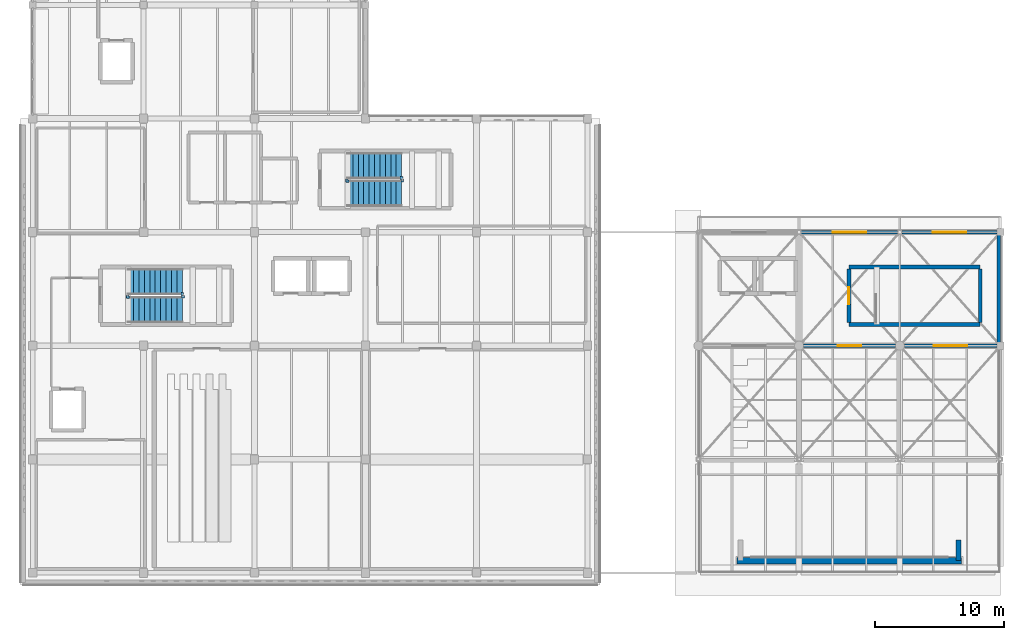
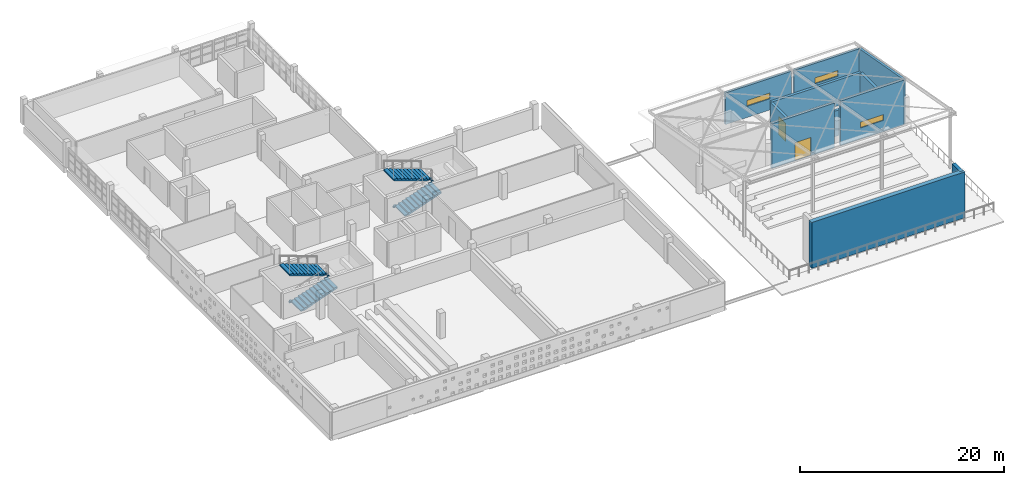
# One storey, part 29 of 34: 11 walls, 8 discrete accessories, 4 stair flights, 3 windows, 2 doors, 5 openings, 2 elements without a shape of their own.
"""IFC4 building model written with IfcOpenShell, lengths in metres."""

from ifc_helpers import new_model, si_unit, direction, frame, frame_2d, origin, origin_2d, place, context, subcontext, project, spatial, polyline, rectangle, outline, extrude, material, layer, layer_set, type_object, element, fill, aggregate, save


model = new_model("IFC4")

# Units and contexts
model_context = context("Model", 3, precision=1e-05, world=origin(), true_north=direction((0.0, 1.0)))
body_context = subcontext(model_context, "Body", "Model", "MODEL_VIEW")
ifc_project = project(units=[si_unit("LENGTHUNIT", "METRE"), si_unit("AREAUNIT", "SQUARE_METRE"), si_unit("VOLUMEUNIT", "CUBIC_METRE"), si_unit("PLANEANGLEUNIT", "RADIAN"), si_unit("MASSUNIT", "GRAM", prefix="KILO")], contexts=[model_context])

# Site, building, storey
site_placement = place(None, origin())
site = spatial("IfcSite", under=ifc_project, at=site_placement, CompositionType="ELEMENT")
building_placement = place(site_placement, origin())
building = spatial("IfcBuilding", under=site, at=building_placement, Name="Varnakota Cinema and Media Centre", CompositionType="ELEMENT")
storey_placement = place(building_placement, frame((0.0, 0.0, 19.050048828125)))
storey = spatial("IfcBuildingStorey", under=building, at=storey_placement, Name="L05", CompositionType="ELEMENT", Elevation=19.050048828125)

# Walls
ifc_material_1 = material(Name="Deccan grey granite ashlar", Category="masonry")
ifc_layer_1 = layer(ifc_material_1, 0.5)
ifc_layer_set_1 = layer_set([ifc_layer_1], Name="Deccan grey granite ashlar")
wall_type_1 = type_object("IfcWallType", Name="W-BUTTRESS-500", PredefinedType="SOLIDWALL", material=ifc_layer_set_1)
wall_1_placement = place(storey_placement, frame((72.0, 0.949951171875, 0.0), z_axis=(0.0, 0.0, 1.0), x_axis=(-1.0, 0.0, 0.0)))
element("IfcWall", 1, at=wall_1_placement, inside=storey, type_object=wall_type_1, Name="L05 rooftop repertory cinema acoustic screen monolith", PredefinedType="SOLIDWALL", context=body_context, shape_type="SweptSolid", body=[
    extrude(rectangle(XDim=17.39990234375, YDim=0.5, at=frame_2d((8.699951171875, 0.0))), origin(), (0.0, 0.0, 1.0), 5.5),
])
ifc_material_2 = material(Name="Concrete M40", Category="concrete")
ifc_layer_2 = layer(ifc_material_2, 0.300048828125)
ifc_layer_set_2 = layer_set([ifc_layer_2], Name="Concrete M40")
wall_type_2 = type_object("IfcWallType", Name="W-CORE-300", PredefinedType="SHEAR", material=ifc_layer_set_2)
wall_2_placement = place(storey_placement, frame((73.429931640625, 19.25, 0.0), z_axis=(0.0, 0.0, 1.0), x_axis=(-1.0, 0.0, 0.0)))
element("IfcWall", 2, at=wall_2_placement, inside=storey, type_object=wall_type_2, Name="L05 CWALL-ST-04-L05 S wall", PredefinedType="SHEAR", context=body_context, shape_type="SweptSolid", body=[
    extrude(rectangle(XDim=10.179931640625, YDim=0.300048828125, at=frame_2d((5.08984375, 0.0))), origin(), (0.0, 0.0, 1.0), 3.06005859375),
])

# Wall, opening, door
wall_3_placement = place(storey_placement, frame((63.25, 19.39990234375, 0.0), z_axis=(0.0, 0.0, 1.0), x_axis=(0.0, 1.0, 0.0)))
wall_3 = element("IfcWall", 3, at=wall_3_placement, inside=storey, type_object=wall_type_2, Name="L05 CWALL-ST-04-L05 W wall", PredefinedType="SHEAR", context=body_context, shape_type="SweptSolid", body=[
    extrude(rectangle(XDim=4.150146484375, YDim=0.300048828125, at=frame_2d((2.0751953125, 0.0))), origin(), (0.0, 0.0, 1.0), 3.06005859375),
])
opening_1_placement = place(wall_3_placement, frame((1.39990234375, 0.0, 0.0)))
opening_1 = element("IfcOpeningElement", 4, at=opening_1_placement, cuts=wall_3, Name="Opening SD-04", PredefinedType="OPENING", context=body_context, shape_type="SweptSolid", body=[
    extrude(rectangle(XDim=1.35009765625, YDim=2.199951171875, at=frame_2d((0.675048828125, 1.10009765625))), frame((0.0, 0.14990234375, 0.0), z_axis=(0.0, -1.0, 0.0), x_axis=(1.0, 0.0, 0.0)), (0.0, 0.0, 1.0), 0.300048828125),
])
ifc_material_3 = material(Name="Thermally broken anodised aluminium AW-6063", Category="aluminium")
door_type_1 = type_object("IfcDoorType", Name="DR-STAIR-1350x2200", OperationType="NOTDEFINED", PredefinedType="DOOR", material=ifc_material_3)
door_1_placement = place(opening_1_placement, origin())
door_1 = element("IfcDoor", 5, at=door_1_placement, inside=storey, type_object=door_type_1, Name="L05 door SD-04", OperationType="SINGLE_SWING_RIGHT", OverallHeight=2.199951171875, OverallWidth=1.35009765625, PredefinedType="DOOR", context=body_context, shape_type="SweptSolid", body=[
    extrude(rectangle(XDim=1.35009765625, YDim=2.199951171875, at=frame_2d((0.675048828125, 1.10009765625))), frame((0.0, 0.02490234375, 0.0), z_axis=(0.0, -1.0, 0.0), x_axis=(1.0, 0.0, 0.0)), (0.0, 0.0, 1.0), 0.050048828125),
])
fill(opening_1, door_1)

# Walls
wall_4_placement = place(storey_placement, frame((63.25, 23.699951171875, 0.0), z_axis=(0.0, 0.0, 1.0), x_axis=(1.0, 0.0, 0.0)))
element("IfcWall", 6, at=wall_4_placement, inside=storey, type_object=wall_type_2, Name="L05 CWALL-ST-04-L05 N wall", PredefinedType="SHEAR", context=body_context, shape_type="SweptSolid", body=[
    extrude(rectangle(XDim=10.179931640625, YDim=0.300048828125, at=frame_2d((5.08984375, 0.0))), origin(), (0.0, 0.0, 1.0), 3.06005859375),
])
wall_5_placement = place(storey_placement, frame((73.429931640625, 23.550048828125, 0.0), z_axis=(0.0, 0.0, 1.0), x_axis=(0.0, -1.0, 0.0)))
element("IfcWall", 7, at=wall_5_placement, inside=storey, type_object=wall_type_2, Name="L05 CWALL-ST-04-L05 E wall", PredefinedType="SHEAR", context=body_context, shape_type="SweptSolid", body=[
    extrude(rectangle(XDim=4.150146484375, YDim=0.300048828125, at=frame_2d((2.0751953125, 0.0))), origin(), (0.0, 0.0, 1.0), 3.06005859375),
])
ifc_material_4 = material(Name="Deccan grey granite ashlar", Category="masonry")
ifc_layer_3 = layer(ifc_material_4, 0.3798828125)
ifc_layer_set_3 = layer_set([ifc_layer_3], Name="Deccan grey granite ashlar")
wall_type_3 = type_object("IfcWallType", Name="W-EXT-GRAN-380", PredefinedType="SOLIDWALL", material=ifc_layer_set_3)
wall_6_placement = place(storey_placement, frame((71.75, 0.949951171875, 0.0), z_axis=(0.0, 0.0, 1.0), x_axis=(0.0, 1.0, 0.0)))
element("IfcWall", 8, at=wall_6_placement, inside=storey, type_object=wall_type_3, Name="L05 rooftop cinema screen acoustic wing pier E", PredefinedType="SOLIDWALL", context=body_context, shape_type="SweptSolid", body=[
    extrude(rectangle(XDim=1.60009765625, YDim=0.3798828125, at=frame_2d((0.800048828125, 0.0))), origin(), (0.0, 0.0, 1.0), 5.5),
])

# Wall, opening, window
ifc_material_5 = material(Name="Pale Tandur limestone cladding", Category="masonry")
ifc_layer_4 = layer(ifc_material_5, 0.27001953125)
ifc_layer_set_4 = layer_set([ifc_layer_4], Name="Pale Tandur limestone cladding")
wall_type_4 = type_object("IfcWallType", Name="W-EXT-PAV-270", PredefinedType="SOLIDWALL", material=ifc_layer_set_4)
wall_7_placement = place(storey_placement, frame((74.72509765625, 17.60009765625, 0.0), z_axis=(0.0, 0.0, 1.0), x_axis=(-1.0, 0.0, 0.0)))
wall_7 = element("IfcWall", 9, at=wall_7_placement, inside=storey, type_object=wall_type_4, Name="L05 exterior wall V3-S-1", PredefinedType="SOLIDWALL", context=body_context, shape_type="SweptSolid", body=[
    extrude(rectangle(XDim=7.175048828125, YDim=0.27001953125, at=frame_2d((3.58740234375, 0.0))), origin(), (0.0, 0.0, 1.0), 5.369873046875),
])
opening_2_placement = place(wall_7_placement, frame((2.28759765625, 0.0, 1.35009765625)))
opening_2 = element("IfcOpeningElement", 10, at=opening_2_placement, cuts=wall_7, Name="Opening WR02", PredefinedType="OPENING", context=body_context, shape_type="SweptSolid", body=[
    extrude(rectangle(XDim=2.60009765625, YDim=0.699951171875, at=frame_2d((1.300048828125, 0.35009765625))), frame((0.0, 0.135009765625, 0.0), z_axis=(0.0, -1.0, 0.0), x_axis=(1.0, 0.0, 0.0)), (0.0, 0.0, 1.0), 0.27001953125),
])
ifc_material_6 = material(Name="Laminated solar-control double glazing", Category="glass")
window_type = type_object("IfcWindowType", Name="WIN-SLOT-260x070", PartitioningType="SINGLE_PANEL", PredefinedType="WINDOW", material=ifc_material_6)
window_1_placement = place(opening_2_placement, origin())
window_1 = element("IfcWindow", 11, at=window_1_placement, inside=storey, type_object=window_type, Name="L05 window WR02", OverallHeight=0.699951171875, OverallWidth=2.60009765625, PartitioningType="SINGLE_PANEL", PredefinedType="WINDOW", context=body_context, shape_type="SweptSolid", body=[
    extrude(rectangle(XDim=2.60009765625, YDim=0.699951171875, at=frame_2d((1.300048828125, 0.35009765625))), frame((0.0, 0.030029296875, 0.0), z_axis=(0.0, -1.0, 0.0), x_axis=(1.0, 0.0, 0.0)), (0.0, 0.0, 1.0), 0.06005859375),
])
fill(opening_2, window_1)

# Wall, opening, door
wall_8_placement = place(storey_placement, frame((66.85009765625, 17.60009765625, 0.0), z_axis=(0.0, 0.0, 1.0), x_axis=(-1.0, 0.0, 0.0)))
wall_8 = element("IfcWall", 12, at=wall_8_placement, inside=storey, type_object=wall_type_4, Name="L05 exterior wall V3-S-2", PredefinedType="SOLIDWALL", context=body_context, shape_type="SweptSolid", body=[
    extrude(rectangle(XDim=7.10009765625, YDim=0.27001953125, at=frame_2d((3.550048828125, 0.0))), origin(), (0.0, 0.0, 1.0), 5.369873046875),
])
opening_3_placement = place(wall_8_placement, frame((2.64990234375, 0.0, 0.0)))
opening_3 = element("IfcOpeningElement", 13, at=opening_3_placement, cuts=wall_8, Name="Opening TD-04", PredefinedType="OPENING", context=body_context, shape_type="SweptSolid", body=[
    extrude(rectangle(XDim=1.800048828125, YDim=2.199951171875, at=frame_2d((0.89990234375, 1.10009765625))), frame((0.0, 0.135009765625, 0.0), z_axis=(0.0, -1.0, 0.0), x_axis=(1.0, 0.0, 0.0)), (0.0, 0.0, 1.0), 0.27001953125),
])
ifc_material_7 = material(Name="Anodised golden-bronze aluminium AW-6063", Category="aluminium")
door_type_2 = type_object("IfcDoorType", Name="DR-TERR-1800x2200", OperationType="DOUBLE_DOOR_SINGLE_SWING", PredefinedType="DOOR", material=ifc_material_7)
door_2_placement = place(opening_3_placement, origin())
door_2 = element("IfcDoor", 14, at=door_2_placement, inside=storey, type_object=door_type_2, Name="L05 door TD-04", OperationType="DOUBLE_DOOR_SINGLE_SWING", OverallHeight=2.199951171875, OverallWidth=1.800048828125, PredefinedType="DOOR", context=body_context, shape_type="SweptSolid", body=[
    extrude(rectangle(XDim=1.800048828125, YDim=2.199951171875, at=frame_2d((0.89990234375, 1.10009765625))), frame((0.0, 0.02490234375, 0.0), z_axis=(0.0, -1.0, 0.0), x_axis=(1.0, 0.0, 0.0)), (0.0, 0.0, 1.0), 0.050048828125),
])
fill(opening_3, door_2)

# Wall
wall_9_placement = place(storey_placement, frame((74.85009765625, 17.60009765625, 0.0), z_axis=(0.0, 0.0, 1.0), x_axis=(0.0, 1.0, 0.0)))
element("IfcWall", 15, at=wall_9_placement, inside=storey, type_object=wall_type_4, Name="L05 V3 rooftop pavilion sloped side wall V3-E", PredefinedType="SOLIDWALL", context=body_context, shape_type="SweptSolid", body=[
    extrude(outline(polyline([(0.0, 0.0), (8.7998046875, 0.0), (8.800048828125, 3.81591796875), (0.0, 5.39990234375), (0.0, 0.0)])), frame((0.0, 0.135009765625, 0.0), z_axis=(0.0, -1.0, 0.0), x_axis=(1.0, 0.0, 0.0)), (0.0, 0.0, 1.0), 0.27001953125),
])

# Wall, opening, window
wall_10_placement = place(storey_placement, frame((59.56201171875, 26.39990234375, 0.0), z_axis=(0.0, 0.0, 1.0), x_axis=(1.0, 0.0, 0.0)))
wall_10 = element("IfcWall", 16, at=wall_10_placement, inside=storey, type_object=wall_type_4, Name="L05 exterior wall V3-N-2", PredefinedType="SOLIDWALL", context=body_context, shape_type="SweptSolid", body=[
    extrude(rectangle(XDim=7.47607421875, YDim=0.27001953125, at=frame_2d((3.738037109375, 0.0))), origin(), (0.0, 0.0, 1.0), 3.7900390625),
])
opening_4_placement = place(wall_10_placement, frame((2.43798828125, 0.0, 1.35009765625)))
opening_4 = element("IfcOpeningElement", 17, at=opening_4_placement, cuts=wall_10, Name="Opening WR02", PredefinedType="OPENING", context=body_context, shape_type="SweptSolid", body=[
    extrude(rectangle(XDim=2.60009765625, YDim=0.699951171875, at=frame_2d((1.300048828125, 0.35009765625))), frame((0.0, 0.135009765625, 0.0), z_axis=(0.0, -1.0, 0.0), x_axis=(1.0, 0.0, 0.0)), (0.0, 0.0, 1.0), 0.27001953125),
])
window_2_placement = place(opening_4_placement, origin())
window_2 = element("IfcWindow", 18, at=window_2_placement, inside=storey, type_object=window_type, Name="L05 window WR02", OverallHeight=0.699951171875, OverallWidth=2.60009765625, PartitioningType="SINGLE_PANEL", PredefinedType="WINDOW", context=body_context, shape_type="SweptSolid", body=[
    extrude(rectangle(XDim=2.60009765625, YDim=0.699951171875, at=frame_2d((1.300048828125, 0.35009765625))), frame((0.0, 0.030029296875, 0.0), z_axis=(0.0, -1.0, 0.0), x_axis=(1.0, 0.0, 0.0)), (0.0, 0.0, 1.0), 0.06005859375),
])
fill(opening_4, window_2)

wall_11_placement = place(storey_placement, frame((67.362060546875, 26.39990234375, 0.0), z_axis=(0.0, 0.0, 1.0), x_axis=(1.0, 0.0, 0.0)))
wall_11 = element("IfcWall", 19, at=wall_11_placement, inside=storey, type_object=wall_type_4, Name="L05 exterior wall V3-N-3", PredefinedType="SOLIDWALL", context=body_context, shape_type="SweptSolid", body=[
    extrude(rectangle(XDim=7.363037109375, YDim=0.27001953125, at=frame_2d((3.681640625, 0.0))), origin(), (0.0, 0.0, 1.0), 3.7900390625),
])
opening_5_placement = place(wall_11_placement, frame((2.381591796875, 0.0, 1.35009765625)))
opening_5 = element("IfcOpeningElement", 20, at=opening_5_placement, cuts=wall_11, Name="Opening WR02", PredefinedType="OPENING", context=body_context, shape_type="SweptSolid", body=[
    extrude(rectangle(XDim=2.60009765625, YDim=0.699951171875, at=frame_2d((1.300048828125, 0.35009765625))), frame((0.0, 0.135009765625, 0.0), z_axis=(0.0, -1.0, 0.0), x_axis=(1.0, 0.0, 0.0)), (0.0, 0.0, 1.0), 0.27001953125),
])
window_3_placement = place(opening_5_placement, origin())
window_3 = element("IfcWindow", 21, at=window_3_placement, inside=storey, type_object=window_type, Name="L05 window WR02", OverallHeight=0.699951171875, OverallWidth=2.60009765625, PartitioningType="SINGLE_PANEL", PredefinedType="WINDOW", context=body_context, shape_type="SweptSolid", body=[
    extrude(rectangle(XDim=2.60009765625, YDim=0.699951171875, at=frame_2d((1.300048828125, 0.35009765625))), frame((0.0, 0.030029296875, 0.0), z_axis=(0.0, -1.0, 0.0), x_axis=(1.0, 0.0, 0.0)), (0.0, 0.0, 1.0), 0.06005859375),
])
fill(opening_5, window_3)

# Stair, stair flights
ifc_material_8 = material(Name="Concrete M35", Category="concrete")
stair_type_1 = type_object("IfcStairType", Name="STR-CORE-ST-01-2000", PredefinedType="HALF_TURN_STAIR", material=ifc_material_8)
stair_1_placement = place(storey_placement, origin())
stair_1 = element("IfcStair", 22, at=stair_1_placement, inside=storey, type_object=stair_type_1, Name="L05 West Firefighting Stair 1", PredefinedType="HALF_TURN_STAIR")
ifc_material_9 = material(Name="Concrete M35", Category="concrete")
stair_flight_type_1 = type_object("IfcStairFlightType", Name="STF-CORE-ST-01-2000", PredefinedType="STRAIGHT", material=ifc_material_9)
stair_flight_1_placement = place(storey_placement, frame((7.39990234375, 20.39990234375, 0.0), z_axis=(0.0, 0.0, 1.0), x_axis=(1.0, 0.0, 0.0)))
stair_flight_1 = element("IfcStairFlight", 23, at=stair_flight_1_placement, type_object=stair_flight_type_1, Name="ST-01 flight 1", NumberOfRisers=11, NumberOfTreads=10, PredefinedType="STRAIGHT", RiserHeight=0.15, TreadLength=0.42, context=body_context, shape_type="SweptSolid", body=[
    extrude(outline(polyline([(0.0, 0.0), (0.0, 0.14990234375), (0.419921875, 0.14990234375), (0.419921875, 0.300048828125), (0.840087890625, 0.300048828125), (0.840087890625, 0.449951171875), (1.260009765625, 0.449951171875), (1.260009765625, 0.60009765625), (1.679931640625, 0.60009765625), (1.679931640625, 0.75), (2.10009765625, 0.75), (2.10009765625, 0.89990234375), (2.52001953125, 0.89990234375), (2.52001953125, 1.050048828125), (2.93994140625, 1.050048828125), (2.93994140625, 1.199951171875), (3.360107421875, 1.199951171875), (3.360107421875, 1.35009765625), (3.780029296875, 1.35009765625), (3.780029296875, 1.5), (4.199951171875, 1.5), (4.199951171875, 1.64990234375), (4.199951171875, 1.3408203125), (0.44580078125, 0.0), (0.0, 0.0)])), frame((0.0, 1.0, 0.0), z_axis=(0.0, -1.0, 0.0), x_axis=(1.0, 0.0, 0.0)), (0.0, 0.0, 1.0), 2.0),
])
stair_flight_2_placement = place(storey_placement, frame((11.60009765625, 22.550048828125, 1.64990234375), z_axis=(0.0, 0.0, 1.0), x_axis=(-1.0, 0.0, 0.0)))
stair_flight_2 = element("IfcStairFlight", 24, at=stair_flight_2_placement, type_object=stair_flight_type_1, Name="ST-01 flight 2", NumberOfRisers=11, NumberOfTreads=10, PredefinedType="STRAIGHT", RiserHeight=0.15, TreadLength=0.42, context=body_context, shape_type="SweptSolid", body=[
    extrude(outline(polyline([(0.0, 0.0), (0.0, 0.14990234375), (0.419921875, 0.14990234375), (0.419921875, 0.300048828125), (0.840087890625, 0.300048828125), (0.840087890625, 0.449951171875), (1.260009765625, 0.449951171875), (1.260009765625, 0.60009765625), (1.679931640625, 0.60009765625), (1.679931640625, 0.75), (2.10009765625, 0.75), (2.10009765625, 0.89990234375), (2.52001953125, 0.89990234375), (2.52001953125, 1.050048828125), (2.93994140625, 1.050048828125), (2.93994140625, 1.199951171875), (3.360107421875, 1.199951171875), (3.360107421875, 1.35009765625), (3.780029296875, 1.35009765625), (3.780029296875, 1.5), (4.199951171875, 1.5), (4.199951171875, 1.64990234375), (4.199951171875, 1.3408203125), (0.44580078125, 0.0), (0.0, 0.0)])), frame((0.0, 1.0, 0.0), z_axis=(0.0, -1.0, 0.0), x_axis=(1.0, 0.0, 0.0)), (0.0, 0.0, 1.0), 2.0),
])
aggregate(stair_1, [stair_flight_1, stair_flight_2])

ifc_material_10 = material(Name="Concrete M35", Category="concrete")
stair_type_2 = type_object("IfcStairType", Name="STR-CORE-ST-02-2000", PredefinedType="HALF_TURN_STAIR", material=ifc_material_10)
stair_2_placement = place(storey_placement, origin())
stair_2 = element("IfcStair", 25, at=stair_2_placement, inside=storey, type_object=stair_type_2, Name="L05 Cinema North Escape Stair 2", PredefinedType="HALF_TURN_STAIR")
ifc_material_11 = material(Name="Concrete M35", Category="concrete")
stair_flight_type_2 = type_object("IfcStairFlightType", Name="STF-CORE-ST-02-2000", PredefinedType="STRAIGHT", material=ifc_material_11)
stair_flight_3_placement = place(storey_placement, frame((24.39990234375, 29.39990234375, 0.0), z_axis=(0.0, 0.0, 1.0), x_axis=(1.0, 0.0, 0.0)))
stair_flight_3 = element("IfcStairFlight", 26, at=stair_flight_3_placement, type_object=stair_flight_type_2, Name="ST-02 flight 1", NumberOfRisers=11, NumberOfTreads=10, PredefinedType="STRAIGHT", RiserHeight=0.15, TreadLength=0.42, context=body_context, shape_type="SweptSolid", body=[
    extrude(outline(polyline([(0.0, 0.0), (0.0, 0.14990234375), (0.419921875, 0.14990234375), (0.419921875, 0.300048828125), (0.840087890625, 0.300048828125), (0.840087890625, 0.449951171875), (1.260009765625, 0.449951171875), (1.260009765625, 0.60009765625), (1.679931640625, 0.60009765625), (1.679931640625, 0.75), (2.10009765625, 0.75), (2.10009765625, 0.89990234375), (2.52001953125, 0.89990234375), (2.52001953125, 1.050048828125), (2.93994140625, 1.050048828125), (2.93994140625, 1.199951171875), (3.360107421875, 1.199951171875), (3.360107421875, 1.35009765625), (3.780029296875, 1.35009765625), (3.780029296875, 1.5), (4.199951171875, 1.5), (4.199951171875, 1.64990234375), (4.199951171875, 1.3408203125), (0.44580078125, 0.0), (0.0, 0.0)])), frame((0.0, 1.0, 0.0), z_axis=(0.0, -1.0, 0.0), x_axis=(1.0, 0.0, 0.0)), (0.0, 0.0, 1.0), 2.0),
])
stair_flight_4_placement = place(storey_placement, frame((28.60009765625, 31.550048828125, 1.64990234375), z_axis=(0.0, 0.0, 1.0), x_axis=(-1.0, 0.0, 0.0)))
stair_flight_4 = element("IfcStairFlight", 27, at=stair_flight_4_placement, type_object=stair_flight_type_2, Name="ST-02 flight 2", NumberOfRisers=11, NumberOfTreads=10, PredefinedType="STRAIGHT", RiserHeight=0.15, TreadLength=0.42, context=body_context, shape_type="SweptSolid", body=[
    extrude(outline(polyline([(0.0, 0.0), (0.0, 0.14990234375), (0.419921875, 0.14990234375), (0.419921875, 0.300048828125), (0.840087890625, 0.300048828125), (0.840087890625, 0.449951171875), (1.260009765625, 0.449951171875), (1.260009765625, 0.60009765625), (1.679931640625, 0.60009765625), (1.679931640625, 0.75), (2.10009765625, 0.75), (2.10009765625, 0.89990234375), (2.52001953125, 0.89990234375), (2.52001953125, 1.050048828125), (2.93994140625, 1.050048828125), (2.93994140625, 1.199951171875), (3.360107421875, 1.199951171875), (3.360107421875, 1.35009765625), (3.780029296875, 1.35009765625), (3.780029296875, 1.5), (4.199951171875, 1.5), (4.199951171875, 1.64990234375), (4.199951171875, 1.3408203125), (0.44580078125, 0.0), (0.0, 0.0)])), frame((0.0, 1.0, 0.0), z_axis=(0.0, -1.0, 0.0), x_axis=(1.0, 0.0, 0.0)), (0.0, 0.0, 1.0), 2.0),
])
aggregate(stair_2, [stair_flight_3, stair_flight_4])

# Discrete accessories
ifc_material_12 = material(Name="Structural steel Grade 350 (E350)", Category="steel")
discrete_accessory_type = type_object("IfcDiscreteAccessoryType", Name="ACC-BRACKET-SG", PredefinedType="BRACKET", material=ifc_material_12)
for number, where, z_axis, x_axis, name in (
    (28, (7.39990234375, 21.35009765625, 0.06005859375), (0.0, 0.0, 1.0), (1.0, 0.0, 0.0), "L05 stair guard base bracket ST-01-L05-G1"),
    (29, (11.64990234375, 21.39990234375, 1.56005859375), (0.0, 0.0, 1.0), (1.0, 0.0, 0.0), "L05 stair guard base bracket ST-01-L05-G2"),
    (30, (11.60009765625, 21.60009765625, 1.7099609375), (0.0, 0.0, 1.0), (1.0, 0.0, 0.0), "L05 stair guard base bracket ST-01-L05-G3"),
    (31, (7.35009765625, 21.39990234375, -0.08984375), (0.0, 0.0, 1.0), (1.0, 0.0, 0.0), "L05 stair guard base bracket ST-01-L05-G4"),
    (32, (24.39990234375, 30.35009765625, 0.06005859375), (0.0, 0.0, 1.0), (1.0, 0.0, 0.0), "L05 stair guard base bracket ST-02-L05-G1"),
    (33, (28.64990234375, 30.39990234375, 1.56005859375), (0.0, 0.0, 1.0), (1.0, 0.0, 0.0), "L05 stair guard base bracket ST-02-L05-G2"),
    (34, (28.60009765625, 30.60009765625, 1.7099609375), (0.0, 0.0, 1.0), (1.0, 0.0, 0.0), "L05 stair guard base bracket ST-02-L05-G3"),
    (35, (24.35009765625, 30.39990234375, -0.08984375), (0.0, 0.0, 1.0), (1.0, 0.0, 0.0), "L05 stair guard base bracket ST-02-L05-G4"),
):
    element("IfcDiscreteAccessory", number, at=place(storey_placement, frame(where, z_axis=z_axis, x_axis=x_axis)), inside=storey, type_object=discrete_accessory_type, Name=name, PredefinedType="BRACKET", context=body_context, shape_type="SweptSolid", body=[
        extrude(rectangle(XDim=0.219970703125, YDim=0.219970703125, at=origin_2d()), origin(), (0.0, 0.0, 1.0), 0.139892578125),
    ])

save(model, "model.ifc")
